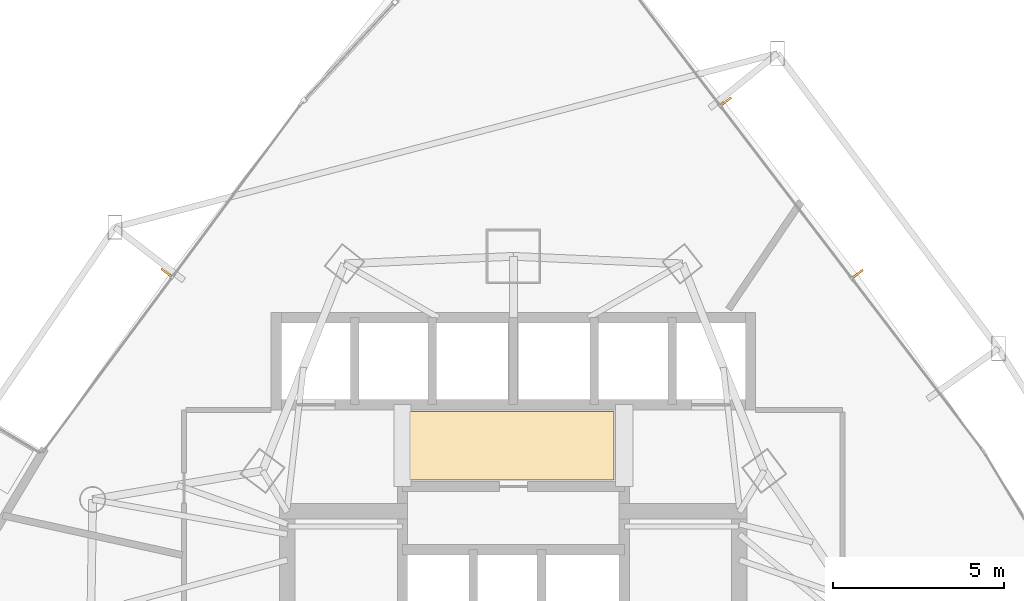
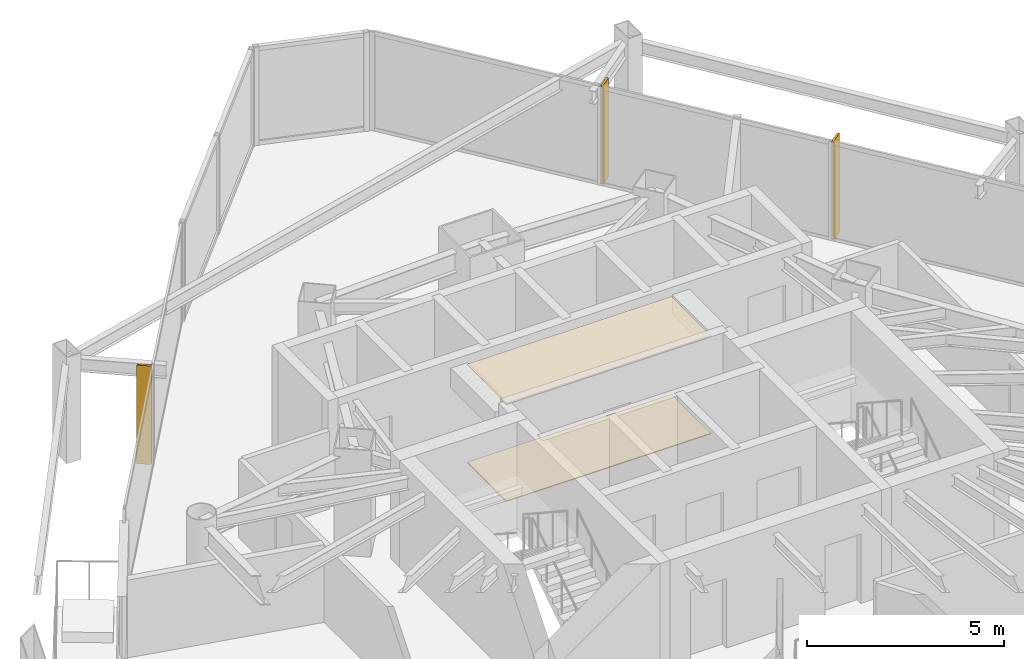
# One storey, part 37 of 37: 3 shading devices, 2 coverings.
"""IFC4 building model written with IfcOpenShell, lengths in metres."""

from ifc_helpers import new_model, si_unit, direction, frame, origin, origin_2d, place, context, subcontext, project, spatial, polyline, rectangle, outline, extrude, material, layer, layer_set, type_object, element, save


model = new_model("IFC4")

# Units and contexts
model_context = context("Model", 3, precision=1e-05, world=origin(), true_north=direction((0.0, 1.0)))
body_context = subcontext(model_context, "Body", "Model", "MODEL_VIEW")
ifc_project = project(units=[si_unit("LENGTHUNIT", "METRE"), si_unit("AREAUNIT", "SQUARE_METRE"), si_unit("VOLUMEUNIT", "CUBIC_METRE"), si_unit("PLANEANGLEUNIT", "RADIAN"), si_unit("MASSUNIT", "GRAM", prefix="KILO")], contexts=[model_context])

# Site, building, storey
site_placement = place(None, origin())
site = spatial("IfcSite", under=ifc_project, at=site_placement, CompositionType="ELEMENT")
building_placement = place(site_placement, origin())
building = spatial("IfcBuilding", under=site, at=building_placement, Name="Orvanel Arch Residences", CompositionType="ELEMENT")
storey_placement = place(building_placement, frame((0.0, 0.0, 53.300048828125)))
storey = spatial("IfcBuildingStorey", under=building, at=storey_placement, Name="L14", CompositionType="ELEMENT", Elevation=53.300048828125)

# Coverings
ifc_material_1 = material(Name="Perforated acoustic mineral-fibre ceiling tile", Category="gypsum")
ifc_layer_1 = layer(ifc_material_1, 0.034912109375)
ifc_layer_set_1 = layer_set([ifc_layer_1], Name="Perforated acoustic mineral-fibre ceiling tile")
covering_type_1 = type_object("IfcCoveringType", Name="COV-CLG-ACS35", PredefinedType="CEILING", material=ifc_layer_set_1)
covering_1_placement = place(storey_placement, frame((0.0, 0.0, 3.02490234375)))
element("IfcCovering", 1, at=covering_1_placement, inside=storey, type_object=covering_type_1, Name="L14 Lift Lobby Acoustic Ceiling", PredefinedType="CEILING", context=body_context, shape_type="SweptSolid", body=[
    extrude(outline(polyline([(29.949951171875, 34.85009765625), (35.949951171875, 34.85009765625), (35.949951171875, 36.85009765625), (29.949951171875, 36.85009765625), (29.949951171875, 34.85009765625)])), origin(), (0.0, 0.0, 1.0), 0.03515625),
])
ifc_material_2 = material(Name="Honed cementitious terrazzo floor finish", Category="concrete")
ifc_layer_2 = layer(ifc_material_2, 0.02490234375)
ifc_layer_set_2 = layer_set([ifc_layer_2], Name="Honed cementitious terrazzo floor finish")
covering_type_2 = type_object("IfcCoveringType", Name="COV-FLR-TRZ25", PredefinedType="FLOORING", material=ifc_layer_set_2)
covering_2_placement = place(storey_placement, origin())
element("IfcCovering", 2, at=covering_2_placement, inside=storey, type_object=covering_type_2, Name="L14 Lift Lobby Terrazzo Flooring", PredefinedType="FLOORING", context=body_context, shape_type="SweptSolid", body=[
    extrude(outline(polyline([(29.949951171875, 34.85009765625), (35.949951171875, 34.85009765625), (35.949951171875, 36.85009765625), (29.949951171875, 36.85009765625), (29.949951171875, 34.85009765625)])), origin(), (0.0, 0.0, 1.0), 0.02490234375),
])

# Shading devices
ifc_material_3 = material(Name="Bronze-anodised aluminium AA6063-T6", Category="aluminium")
ifc_layer_3 = layer(ifc_material_3, 0.06005859375)
ifc_layer_set_3 = layer_set([ifc_layer_3], Name="Bronze-anodised aluminium AA6063-T6")
shading_device_type = type_object("IfcShadingDeviceType", Name="FIN-BRZ-380", PredefinedType="USERDEFINED", material=ifc_layer_set_3)
for number, where, z_axis, x_axis, name in (
    (3, (22.8310546875, 40.9208984375, 0.0), (0.0, 0.0, 1.0), (-0.802817475191, 0.596224874966, 0.0), "L14 Anodised Bronze Mullion FIN 01"),
    (4, (43.090087890625, 40.884033203125, 0.0), (0.0, 0.0, 1.0), (0.795473480855, 0.605988400266, 0.0), "L14 Anodised Bronze Mullion FIN 01"),
    (5, (39.235107421875, 45.93994140625, 0.0), (0.0, 0.0, 1.0), (0.795473480855, 0.605988400266, 0.0), "L14 Anodised Bronze Mullion FIN 02"),
):
    element("IfcShadingDevice", number, at=place(storey_placement, frame(where, z_axis=z_axis, x_axis=x_axis)), inside=storey, type_object=shading_device_type, Name=name, ObjectType="FIN", PredefinedType="USERDEFINED", context=body_context, shape_type="SweptSolid", body=[
        extrude(rectangle(XDim=0.3798828125, YDim=0.06005859375, at=origin_2d()), origin(), (0.0, 0.0, 1.0), 3.06005859375),
    ])

save(model, "model.ifc")
